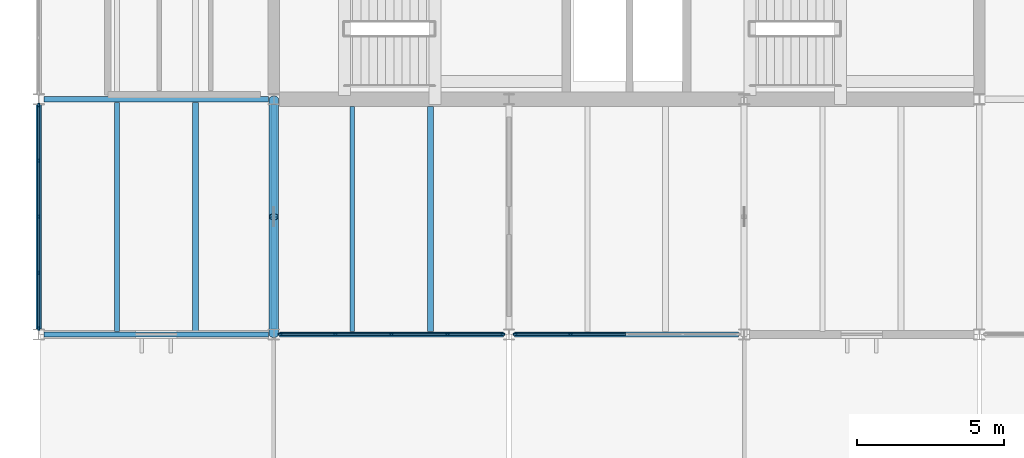
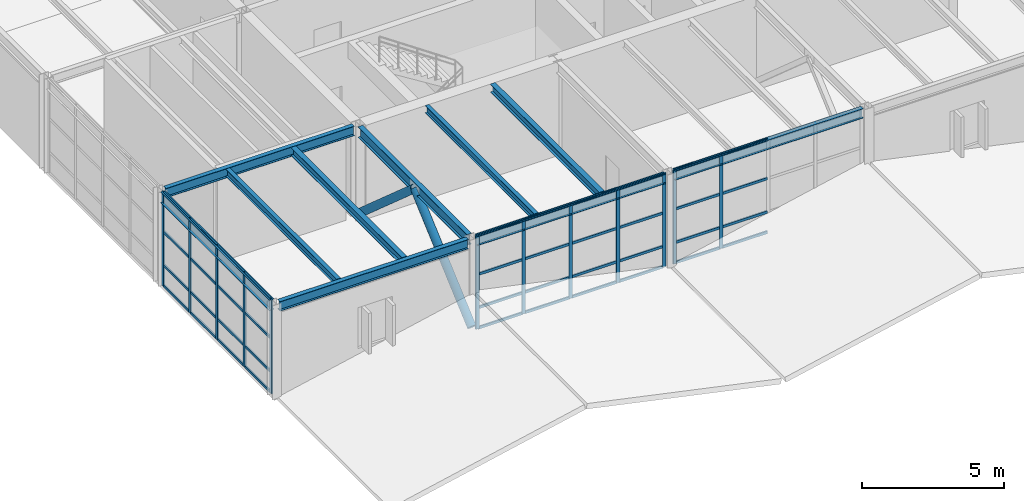
# One storey, part 6 of 34: 54 members, 10 beams, 3 elements without a shape of their own.
"""IFC4 building model written with IfcOpenShell, lengths in metres."""

from ifc_helpers import new_model, si_unit, direction, frame, origin, origin_2d, place, context, subcontext, project, spatial, rectangle, hollow_circle, i_section, extrude, material, layer, layer_set, material_profile, profile_set, type_object, element, aggregate, save


model = new_model("IFC4")

# Units and contexts
model_context = context("Model", 3, precision=1e-05, world=origin(), true_north=direction((0.0, 1.0)))
body_context = subcontext(model_context, "Body", "Model", "MODEL_VIEW")
ifc_project = project(units=[si_unit("LENGTHUNIT", "METRE"), si_unit("AREAUNIT", "SQUARE_METRE"), si_unit("VOLUMEUNIT", "CUBIC_METRE"), si_unit("PLANEANGLEUNIT", "RADIAN"), si_unit("MASSUNIT", "GRAM", prefix="KILO")], contexts=[model_context])

# Site, building, storey
site_placement = place(None, origin())
site = spatial("IfcSite", under=ifc_project, at=site_placement, CompositionType="ELEMENT")
building_placement = place(site_placement, origin())
building = spatial("IfcBuilding", under=site, at=building_placement, Name="Varnela Railside Interchange", CompositionType="ELEMENT")
storey_placement = place(building_placement, frame((0.0, 0.0, 19.60009765625)))
storey = spatial("IfcBuildingStorey", under=building, at=storey_placement, Name="L04", CompositionType="ELEMENT", Elevation=19.60009765625)

# Beams
ifc_material_1 = material(Name="Steel AR 350 (350 MPa)", Category="steel")
ifc_material_profile_1 = material_profile(ifc_material_1, i_section(OverallWidth=0.1650390625, OverallDepth=0.31005859375, WebThickness=0.005859375, FlangeThickness=0.009765625, at=origin_2d()), Name="W310x38.7")
ifc_profile_set_1 = profile_set([ifc_material_profile_1], Name="Steel AR 350 (350 MPa)")
beam_type_1 = type_object("IfcBeamType", Name="Composite Floor Joist J-04", PredefinedType="JOIST", material=ifc_profile_set_1)
beam_1_placement = place(storey_placement, frame((6.669921875, 46.1044921875, 3.864990234375), z_axis=(0.0, 1.0, 0.0), x_axis=(-1.0, 0.0, 0.0)))
element("IfcBeam", 1, at=beam_1_placement, inside=storey, type_object=beam_type_1, Name="Composite Floor Joist J-04 (L04) (BM-2368)", PredefinedType="JOIST", context=body_context, shape_type="SweptSolid", body=[
    extrude(i_section(OverallWidth=0.1650390625, OverallDepth=0.31005859375, WebThickness=0.005859375, FlangeThickness=0.009765625, at=origin_2d()), origin(), (0.0, 0.0, 1.0), 7.791015625),
])
beam_2_placement = place(storey_placement, frame((14.669921875, 46.1044921875, 3.864990234375), z_axis=(0.0, 1.0, 0.0), x_axis=(-1.0, 0.0, 0.0)))
element("IfcBeam", 2, at=beam_2_placement, inside=storey, type_object=beam_type_1, Name="Composite Floor Joist J-04 (L04) (BM-2380)", PredefinedType="JOIST", context=body_context, shape_type="SweptSolid", body=[
    extrude(i_section(OverallWidth=0.1650390625, OverallDepth=0.31005859375, WebThickness=0.005859375, FlangeThickness=0.009765625, at=origin_2d()), origin(), (0.0, 0.0, 1.0), 7.655517578125),
])
ifc_material_profile_2 = material_profile(ifc_material_1, i_section(OverallWidth=0.202880859375, OverallDepth=0.346923828125, WebThickness=0.0078125, FlangeThickness=0.013427734375, at=origin_2d()), Name="W360x64")
ifc_profile_set_2 = profile_set([ifc_material_profile_2], Name="Steel AR 350 (350 MPa)")
beam_type_2 = type_object("IfcBeamType", Name="Composite Heavy Joist J-01", PredefinedType="JOIST", material=ifc_profile_set_2)
beam_3_placement = place(storey_placement, frame((9.330078125, 46.1044921875, 3.846435546875), z_axis=(0.0, 1.0, 0.0), x_axis=(-1.0, 0.0, 0.0)))
element("IfcBeam", 3, at=beam_3_placement, inside=storey, type_object=beam_type_2, Name="Composite Heavy Joist J-01 (L04) (BM-2369)", PredefinedType="JOIST", context=body_context, shape_type="SweptSolid", body=[
    extrude(i_section(OverallWidth=0.202880859375, OverallDepth=0.346923828125, WebThickness=0.0078125, FlangeThickness=0.013427734375, at=origin_2d()), origin(), (0.0, 0.0, 1.0), 7.791015625),
])
beam_4_placement = place(storey_placement, frame((17.330078125, 46.1044921875, 3.846435546875), z_axis=(0.0, 1.0, 0.0), x_axis=(-1.0, 0.0, 0.0)))
element("IfcBeam", 4, at=beam_4_placement, inside=storey, type_object=beam_type_2, Name="Composite Heavy Joist J-01 (L04) (BM-2381)", PredefinedType="JOIST", context=body_context, shape_type="SweptSolid", body=[
    extrude(i_section(OverallWidth=0.202880859375, OverallDepth=0.346923828125, WebThickness=0.0078125, FlangeThickness=0.013427734375, at=origin_2d()), origin(), (0.0, 0.0, 1.0), 7.655517578125),
])

# Curtain wall, members
ifc_material_2 = material(Name="Aluminium 6063-T6", Category="aluminium")
ifc_layer = layer(ifc_material_2, 0.035888671875)
ifc_layer_set = layer_set([ifc_layer], Name="Aluminium 6063-T6")
curtain_wall_type = type_object("IfcCurtainWallType", Name="Operations Wing Facade Curtain Wall CW-03", PredefinedType="USERDEFINED", material=ifc_layer_set)
curtain_wall_1_placement = place(storey_placement, origin())
curtain_wall_1 = element("IfcCurtainWall", 5, at=curtain_wall_1_placement, inside=storey, type_object=curtain_wall_type, Name="Curtain Wall CW-03 (L04) (CW-118)", ObjectType="CURTAIN WALL", PredefinedType="USERDEFINED")
ifc_material_profile_3 = material_profile(ifc_material_2, rectangle(XDim=0.06005859375, YDim=0.139892578125, at=origin_2d()), Name="ALU 60x140")
ifc_profile_set_3 = profile_set([ifc_material_profile_3], Name="Aluminium 6063-T6")
member_type_1 = type_object("IfcMemberType", Name="Curtain Wall Mullion ML-01", PredefinedType="MULLION", material=ifc_profile_set_3)
member_1_placement = place(storey_placement, frame((22.092529296875, 46.0, 0.0), z_axis=(0.0, 0.0, 1.0), x_axis=(0.0, -1.0, 0.0)))
member_1 = element("IfcMember", 6, at=member_1_placement, type_object=member_type_1, Name="CW-03 mullion 4", PredefinedType="MULLION", context=body_context, shape_type="SweptSolid", body=[
    extrude(rectangle(XDim=0.06005859375, YDim=0.139892578125, at=origin_2d()), origin(), (0.0, 0.0, 1.0), 4.02001953125),
])
member_2_placement = place(storey_placement, frame((20.215087890625, 46.0, 0.0), z_axis=(0.0, 0.0, 1.0), x_axis=(0.0, -1.0, 0.0)))
member_2 = element("IfcMember", 7, at=member_2_placement, type_object=member_type_1, Name="CW-03 mullion 5", PredefinedType="MULLION", context=body_context, shape_type="SweptSolid", body=[
    extrude(rectangle(XDim=0.06005859375, YDim=0.139892578125, at=origin_2d()), origin(), (0.0, 0.0, 1.0), 4.02001953125),
])

curtain_wall_2_placement = place(storey_placement, origin())
curtain_wall_2 = element("IfcCurtainWall", 8, at=curtain_wall_2_placement, inside=storey, type_object=curtain_wall_type, Name="Curtain Wall CW-03 (L04) (CW-120)", ObjectType="CURTAIN WALL", PredefinedType="USERDEFINED")
member_3_placement = place(storey_placement, frame((19.784912109375, 46.0, 0.0), z_axis=(0.0, 0.0, 1.0), x_axis=(0.0, -1.0, 0.0)))
member_3 = element("IfcMember", 9, at=member_3_placement, type_object=member_type_1, Name="CW-03 mullion 1", PredefinedType="MULLION", context=body_context, shape_type="SweptSolid", body=[
    extrude(rectangle(XDim=0.06005859375, YDim=0.139892578125, at=origin_2d()), origin(), (0.0, 0.0, 1.0), 4.02001953125),
])
member_4_placement = place(storey_placement, frame((17.907470703125, 46.0, 0.0), z_axis=(0.0, 0.0, 1.0), x_axis=(0.0, -1.0, 0.0)))
member_4 = element("IfcMember", 10, at=member_4_placement, type_object=member_type_1, Name="CW-03 mullion 2", PredefinedType="MULLION", context=body_context, shape_type="SweptSolid", body=[
    extrude(rectangle(XDim=0.06005859375, YDim=0.139892578125, at=origin_2d()), origin(), (0.0, 0.0, 1.0), 4.02001953125),
])
member_5_placement = place(storey_placement, frame((16.0, 46.0, 0.0), z_axis=(0.0, 0.0, 1.0), x_axis=(0.0, -1.0, 0.0)))
member_5 = element("IfcMember", 11, at=member_5_placement, type_object=member_type_1, Name="CW-03 mullion 3", PredefinedType="MULLION", context=body_context, shape_type="SweptSolid", body=[
    extrude(rectangle(XDim=0.06005859375, YDim=0.139892578125, at=origin_2d()), origin(), (0.0, 0.0, 1.0), 4.02001953125),
])
member_6_placement = place(storey_placement, frame((14.092529296875, 46.0, 0.0), z_axis=(0.0, 0.0, 1.0), x_axis=(0.0, -1.0, 0.0)))
member_6 = element("IfcMember", 12, at=member_6_placement, type_object=member_type_1, Name="CW-03 mullion 4", PredefinedType="MULLION", context=body_context, shape_type="SweptSolid", body=[
    extrude(rectangle(XDim=0.06005859375, YDim=0.139892578125, at=origin_2d()), origin(), (0.0, 0.0, 1.0), 4.02001953125),
])
member_7_placement = place(storey_placement, frame((12.215087890625, 46.0, 0.0), z_axis=(0.0, 0.0, 1.0), x_axis=(0.0, -1.0, 0.0)))
member_7 = element("IfcMember", 13, at=member_7_placement, type_object=member_type_1, Name="CW-03 mullion 5", PredefinedType="MULLION", context=body_context, shape_type="SweptSolid", body=[
    extrude(rectangle(XDim=0.06005859375, YDim=0.139892578125, at=origin_2d()), origin(), (0.0, 0.0, 1.0), 4.02001953125),
])

curtain_wall_3_placement = place(storey_placement, origin())
curtain_wall_3 = element("IfcCurtainWall", 14, at=curtain_wall_3_placement, inside=storey, type_object=curtain_wall_type, Name="Curtain Wall CW-03 (L04) (CW-121)", ObjectType="CURTAIN WALL", PredefinedType="USERDEFINED")
member_8_placement = place(storey_placement, frame((4.0, 46.2099609375, 0.0), z_axis=(0.0, 0.0, 1.0), x_axis=(-1.0, 0.0, 0.0)))
member_8 = element("IfcMember", 15, at=member_8_placement, type_object=member_type_1, Name="CW-03 mullion 1", PredefinedType="MULLION", context=body_context, shape_type="SweptSolid", body=[
    extrude(rectangle(XDim=0.06005859375, YDim=0.139892578125, at=origin_2d()), origin(), (0.0, 0.0, 1.0), 4.02001953125),
])
member_9_placement = place(storey_placement, frame((4.0, 48.090087890625, 0.0), z_axis=(0.0, 0.0, 1.0), x_axis=(-1.0, 0.0, 0.0)))
member_9 = element("IfcMember", 16, at=member_9_placement, type_object=member_type_1, Name="CW-03 mullion 2", PredefinedType="MULLION", context=body_context, shape_type="SweptSolid", body=[
    extrude(rectangle(XDim=0.06005859375, YDim=0.139892578125, at=origin_2d()), origin(), (0.0, 0.0, 1.0), 4.02001953125),
])
member_10_placement = place(storey_placement, frame((4.0, 50.0, 0.0), z_axis=(0.0, 0.0, 1.0), x_axis=(-1.0, 0.0, 0.0)))
member_10 = element("IfcMember", 17, at=member_10_placement, type_object=member_type_1, Name="CW-03 mullion 3", PredefinedType="MULLION", context=body_context, shape_type="SweptSolid", body=[
    extrude(rectangle(XDim=0.06005859375, YDim=0.139892578125, at=origin_2d()), origin(), (0.0, 0.0, 1.0), 4.02001953125),
])
member_11_placement = place(storey_placement, frame((4.0, 51.909912109375, 0.0), z_axis=(0.0, 0.0, 1.0), x_axis=(-1.0, 0.0, 0.0)))
member_11 = element("IfcMember", 18, at=member_11_placement, type_object=member_type_1, Name="CW-03 mullion 4", PredefinedType="MULLION", context=body_context, shape_type="SweptSolid", body=[
    extrude(rectangle(XDim=0.06005859375, YDim=0.139892578125, at=origin_2d()), origin(), (0.0, 0.0, 1.0), 4.02001953125),
])
member_12_placement = place(storey_placement, frame((4.0, 53.7900390625, 0.0), z_axis=(0.0, 0.0, 1.0), x_axis=(-1.0, 0.0, 0.0)))
member_12 = element("IfcMember", 19, at=member_12_placement, type_object=member_type_1, Name="CW-03 mullion 5", PredefinedType="MULLION", context=body_context, shape_type="SweptSolid", body=[
    extrude(rectangle(XDim=0.06005859375, YDim=0.139892578125, at=origin_2d()), origin(), (0.0, 0.0, 1.0), 4.02001953125),
])

# Member
ifc_material_profile_4 = material_profile(ifc_material_2, rectangle(XDim=0.06005859375, YDim=0.110107421875, at=origin_2d()), Name="ALU 60x110")
ifc_profile_set_4 = profile_set([ifc_material_profile_4], Name="Aluminium 6063-T6")
member_type_2 = type_object("IfcMemberType", Name="Curtain Wall Transom TR-01", PredefinedType="USERDEFINED", material=ifc_profile_set_4)
member_13_placement = place(storey_placement, frame((23.969970703125, 46.0, 0.02978515625), z_axis=(-1.0, 0.0, 0.0), x_axis=(0.0, -1.0, 0.0)))
member_13 = element("IfcMember", 20, at=member_13_placement, type_object=member_type_2, Name="CW-03 transom 3.1", ObjectType="TRANSOM", PredefinedType="USERDEFINED", context=body_context, shape_type="SweptSolid", body=[
    extrude(rectangle(XDim=0.06005859375, YDim=0.110107421875, at=origin_2d()), origin(), (0.0, 0.0, 1.0), 1.847412109375),
])

member_14_placement = place(storey_placement, frame((23.969970703125, 46.0, 0.89990234375), z_axis=(-1.0, 0.0, 0.0), x_axis=(0.0, -1.0, 0.0)))
member_14 = element("IfcMember", 21, at=member_14_placement, type_object=member_type_2, Name="CW-03 transom 3.2", ObjectType="TRANSOM", PredefinedType="USERDEFINED", context=body_context, shape_type="SweptSolid", body=[
    extrude(rectangle(XDim=0.06005859375, YDim=0.110107421875, at=origin_2d()), origin(), (0.0, 0.0, 1.0), 1.847412109375),
])

member_15_placement = place(storey_placement, frame((23.969970703125, 46.0, 2.33154296875), z_axis=(-1.0, 0.0, 0.0), x_axis=(0.0, -1.0, 0.0)))
member_15 = element("IfcMember", 22, at=member_15_placement, type_object=member_type_2, Name="CW-03 transom 3.3", ObjectType="TRANSOM", PredefinedType="USERDEFINED", context=body_context, shape_type="SweptSolid", body=[
    extrude(rectangle(XDim=0.06005859375, YDim=0.110107421875, at=origin_2d()), origin(), (0.0, 0.0, 1.0), 1.847412109375),
])

member_16_placement = place(storey_placement, frame((23.969970703125, 46.0, 3.989990234375), z_axis=(-1.0, 0.0, 0.0), x_axis=(0.0, -1.0, 0.0)))
member_16 = element("IfcMember", 23, at=member_16_placement, type_object=member_type_2, Name="CW-03 transom 3.4", ObjectType="TRANSOM", PredefinedType="USERDEFINED", context=body_context, shape_type="SweptSolid", body=[
    extrude(rectangle(XDim=0.06005859375, YDim=0.110107421875, at=origin_2d()), origin(), (0.0, 0.0, 1.0), 1.847412109375),
])

member_17_placement = place(storey_placement, frame((22.0625, 46.0, 0.02978515625), z_axis=(-1.0, 0.0, 0.0), x_axis=(0.0, -1.0, 0.0)))
member_17 = element("IfcMember", 24, at=member_17_placement, type_object=member_type_2, Name="CW-03 transom 4.1", ObjectType="TRANSOM", PredefinedType="USERDEFINED", context=body_context, shape_type="SweptSolid", body=[
    extrude(rectangle(XDim=0.06005859375, YDim=0.110107421875, at=origin_2d()), origin(), (0.0, 0.0, 1.0), 1.8173828125),
])

member_18_placement = place(storey_placement, frame((22.0625, 46.0, 0.89990234375), z_axis=(-1.0, 0.0, 0.0), x_axis=(0.0, -1.0, 0.0)))
member_18 = element("IfcMember", 25, at=member_18_placement, type_object=member_type_2, Name="CW-03 transom 4.2", ObjectType="TRANSOM", PredefinedType="USERDEFINED", context=body_context, shape_type="SweptSolid", body=[
    extrude(rectangle(XDim=0.06005859375, YDim=0.110107421875, at=origin_2d()), origin(), (0.0, 0.0, 1.0), 1.8173828125),
])

member_19_placement = place(storey_placement, frame((22.0625, 46.0, 2.33154296875), z_axis=(-1.0, 0.0, 0.0), x_axis=(0.0, -1.0, 0.0)))
member_19 = element("IfcMember", 26, at=member_19_placement, type_object=member_type_2, Name="CW-03 transom 4.3", ObjectType="TRANSOM", PredefinedType="USERDEFINED", context=body_context, shape_type="SweptSolid", body=[
    extrude(rectangle(XDim=0.06005859375, YDim=0.110107421875, at=origin_2d()), origin(), (0.0, 0.0, 1.0), 1.8173828125),
])

member_20_placement = place(storey_placement, frame((22.0625, 46.0, 3.989990234375), z_axis=(-1.0, 0.0, 0.0), x_axis=(0.0, -1.0, 0.0)))
member_20 = element("IfcMember", 27, at=member_20_placement, type_object=member_type_2, Name="CW-03 transom 4.4", ObjectType="TRANSOM", PredefinedType="USERDEFINED", context=body_context, shape_type="SweptSolid", body=[
    extrude(rectangle(XDim=0.06005859375, YDim=0.110107421875, at=origin_2d()), origin(), (0.0, 0.0, 1.0), 1.8173828125),
])

aggregate(curtain_wall_1, [member_1, member_2, member_13, member_14, member_15, member_16, member_17, member_18, member_19, member_20])

member_21_placement = place(storey_placement, frame((19.7548828125, 46.0, 0.02978515625), z_axis=(-1.0, 0.0, 0.0), x_axis=(0.0, -1.0, 0.0)))
member_21 = element("IfcMember", 28, at=member_21_placement, type_object=member_type_2, Name="CW-03 transom 1.1", ObjectType="TRANSOM", PredefinedType="USERDEFINED", context=body_context, shape_type="SweptSolid", body=[
    extrude(rectangle(XDim=0.06005859375, YDim=0.110107421875, at=origin_2d()), origin(), (0.0, 0.0, 1.0), 1.8173828125),
])

member_22_placement = place(storey_placement, frame((19.7548828125, 46.0, 0.89990234375), z_axis=(-1.0, 0.0, 0.0), x_axis=(0.0, -1.0, 0.0)))
member_22 = element("IfcMember", 29, at=member_22_placement, type_object=member_type_2, Name="CW-03 transom 1.2", ObjectType="TRANSOM", PredefinedType="USERDEFINED", context=body_context, shape_type="SweptSolid", body=[
    extrude(rectangle(XDim=0.06005859375, YDim=0.110107421875, at=origin_2d()), origin(), (0.0, 0.0, 1.0), 1.8173828125),
])

member_23_placement = place(storey_placement, frame((19.7548828125, 46.0, 2.33154296875), z_axis=(-1.0, 0.0, 0.0), x_axis=(0.0, -1.0, 0.0)))
member_23 = element("IfcMember", 30, at=member_23_placement, type_object=member_type_2, Name="CW-03 transom 1.3", ObjectType="TRANSOM", PredefinedType="USERDEFINED", context=body_context, shape_type="SweptSolid", body=[
    extrude(rectangle(XDim=0.06005859375, YDim=0.110107421875, at=origin_2d()), origin(), (0.0, 0.0, 1.0), 1.8173828125),
])

member_24_placement = place(storey_placement, frame((19.7548828125, 46.0, 3.989990234375), z_axis=(-1.0, 0.0, 0.0), x_axis=(0.0, -1.0, 0.0)))
member_24 = element("IfcMember", 31, at=member_24_placement, type_object=member_type_2, Name="CW-03 transom 1.4", ObjectType="TRANSOM", PredefinedType="USERDEFINED", context=body_context, shape_type="SweptSolid", body=[
    extrude(rectangle(XDim=0.06005859375, YDim=0.110107421875, at=origin_2d()), origin(), (0.0, 0.0, 1.0), 1.8173828125),
])

member_25_placement = place(storey_placement, frame((17.87744140625, 46.0, 0.02978515625), z_axis=(-1.0, 0.0, 0.0), x_axis=(0.0, -1.0, 0.0)))
member_25 = element("IfcMember", 32, at=member_25_placement, type_object=member_type_2, Name="CW-03 transom 2.1", ObjectType="TRANSOM", PredefinedType="USERDEFINED", context=body_context, shape_type="SweptSolid", body=[
    extrude(rectangle(XDim=0.06005859375, YDim=0.110107421875, at=origin_2d()), origin(), (0.0, 0.0, 1.0), 1.847412109375),
])

member_26_placement = place(storey_placement, frame((17.87744140625, 46.0, 0.89990234375), z_axis=(-1.0, 0.0, 0.0), x_axis=(0.0, -1.0, 0.0)))
member_26 = element("IfcMember", 33, at=member_26_placement, type_object=member_type_2, Name="CW-03 transom 2.2", ObjectType="TRANSOM", PredefinedType="USERDEFINED", context=body_context, shape_type="SweptSolid", body=[
    extrude(rectangle(XDim=0.06005859375, YDim=0.110107421875, at=origin_2d()), origin(), (0.0, 0.0, 1.0), 1.847412109375),
])

member_27_placement = place(storey_placement, frame((17.87744140625, 46.0, 2.33154296875), z_axis=(-1.0, 0.0, 0.0), x_axis=(0.0, -1.0, 0.0)))
member_27 = element("IfcMember", 34, at=member_27_placement, type_object=member_type_2, Name="CW-03 transom 2.3", ObjectType="TRANSOM", PredefinedType="USERDEFINED", context=body_context, shape_type="SweptSolid", body=[
    extrude(rectangle(XDim=0.06005859375, YDim=0.110107421875, at=origin_2d()), origin(), (0.0, 0.0, 1.0), 1.847412109375),
])

member_28_placement = place(storey_placement, frame((17.87744140625, 46.0, 3.989990234375), z_axis=(-1.0, 0.0, 0.0), x_axis=(0.0, -1.0, 0.0)))
member_28 = element("IfcMember", 35, at=member_28_placement, type_object=member_type_2, Name="CW-03 transom 2.4", ObjectType="TRANSOM", PredefinedType="USERDEFINED", context=body_context, shape_type="SweptSolid", body=[
    extrude(rectangle(XDim=0.06005859375, YDim=0.110107421875, at=origin_2d()), origin(), (0.0, 0.0, 1.0), 1.847412109375),
])

member_29_placement = place(storey_placement, frame((15.969970703125, 46.0, 0.02978515625), z_axis=(-1.0, 0.0, 0.0), x_axis=(0.0, -1.0, 0.0)))
member_29 = element("IfcMember", 36, at=member_29_placement, type_object=member_type_2, Name="CW-03 transom 3.1", ObjectType="TRANSOM", PredefinedType="USERDEFINED", context=body_context, shape_type="SweptSolid", body=[
    extrude(rectangle(XDim=0.06005859375, YDim=0.110107421875, at=origin_2d()), origin(), (0.0, 0.0, 1.0), 1.847412109375),
])

member_30_placement = place(storey_placement, frame((15.969970703125, 46.0, 0.89990234375), z_axis=(-1.0, 0.0, 0.0), x_axis=(0.0, -1.0, 0.0)))
member_30 = element("IfcMember", 37, at=member_30_placement, type_object=member_type_2, Name="CW-03 transom 3.2", ObjectType="TRANSOM", PredefinedType="USERDEFINED", context=body_context, shape_type="SweptSolid", body=[
    extrude(rectangle(XDim=0.06005859375, YDim=0.110107421875, at=origin_2d()), origin(), (0.0, 0.0, 1.0), 1.847412109375),
])

member_31_placement = place(storey_placement, frame((15.969970703125, 46.0, 2.33154296875), z_axis=(-1.0, 0.0, 0.0), x_axis=(0.0, -1.0, 0.0)))
member_31 = element("IfcMember", 38, at=member_31_placement, type_object=member_type_2, Name="CW-03 transom 3.3", ObjectType="TRANSOM", PredefinedType="USERDEFINED", context=body_context, shape_type="SweptSolid", body=[
    extrude(rectangle(XDim=0.06005859375, YDim=0.110107421875, at=origin_2d()), origin(), (0.0, 0.0, 1.0), 1.847412109375),
])

member_32_placement = place(storey_placement, frame((15.969970703125, 46.0, 3.989990234375), z_axis=(-1.0, 0.0, 0.0), x_axis=(0.0, -1.0, 0.0)))
member_32 = element("IfcMember", 39, at=member_32_placement, type_object=member_type_2, Name="CW-03 transom 3.4", ObjectType="TRANSOM", PredefinedType="USERDEFINED", context=body_context, shape_type="SweptSolid", body=[
    extrude(rectangle(XDim=0.06005859375, YDim=0.110107421875, at=origin_2d()), origin(), (0.0, 0.0, 1.0), 1.847412109375),
])

member_33_placement = place(storey_placement, frame((14.0625, 46.0, 0.02978515625), z_axis=(-1.0, 0.0, 0.0), x_axis=(0.0, -1.0, 0.0)))
member_33 = element("IfcMember", 40, at=member_33_placement, type_object=member_type_2, Name="CW-03 transom 4.1", ObjectType="TRANSOM", PredefinedType="USERDEFINED", context=body_context, shape_type="SweptSolid", body=[
    extrude(rectangle(XDim=0.06005859375, YDim=0.110107421875, at=origin_2d()), origin(), (0.0, 0.0, 1.0), 1.8173828125),
])

member_34_placement = place(storey_placement, frame((14.0625, 46.0, 0.89990234375), z_axis=(-1.0, 0.0, 0.0), x_axis=(0.0, -1.0, 0.0)))
member_34 = element("IfcMember", 41, at=member_34_placement, type_object=member_type_2, Name="CW-03 transom 4.2", ObjectType="TRANSOM", PredefinedType="USERDEFINED", context=body_context, shape_type="SweptSolid", body=[
    extrude(rectangle(XDim=0.06005859375, YDim=0.110107421875, at=origin_2d()), origin(), (0.0, 0.0, 1.0), 1.8173828125),
])

member_35_placement = place(storey_placement, frame((14.0625, 46.0, 2.33154296875), z_axis=(-1.0, 0.0, 0.0), x_axis=(0.0, -1.0, 0.0)))
member_35 = element("IfcMember", 42, at=member_35_placement, type_object=member_type_2, Name="CW-03 transom 4.3", ObjectType="TRANSOM", PredefinedType="USERDEFINED", context=body_context, shape_type="SweptSolid", body=[
    extrude(rectangle(XDim=0.06005859375, YDim=0.110107421875, at=origin_2d()), origin(), (0.0, 0.0, 1.0), 1.8173828125),
])

member_36_placement = place(storey_placement, frame((14.0625, 46.0, 3.989990234375), z_axis=(-1.0, 0.0, 0.0), x_axis=(0.0, -1.0, 0.0)))
member_36 = element("IfcMember", 43, at=member_36_placement, type_object=member_type_2, Name="CW-03 transom 4.4", ObjectType="TRANSOM", PredefinedType="USERDEFINED", context=body_context, shape_type="SweptSolid", body=[
    extrude(rectangle(XDim=0.06005859375, YDim=0.110107421875, at=origin_2d()), origin(), (0.0, 0.0, 1.0), 1.8173828125),
])

aggregate(curtain_wall_2, [member_3, member_4, member_5, member_6, member_7, member_21, member_22, member_23, member_24, member_25, member_26, member_27, member_28, member_29, member_30, member_31, member_32, member_33, member_34, member_35, member_36])

member_37_placement = place(storey_placement, frame((4.0, 46.239990234375, 0.02978515625), z_axis=(0.0, 1.0, 0.0), x_axis=(-1.0, 0.0, 0.0)))
member_37 = element("IfcMember", 44, at=member_37_placement, type_object=member_type_2, Name="CW-03 transom 1.1", ObjectType="TRANSOM", PredefinedType="USERDEFINED", context=body_context, shape_type="SweptSolid", body=[
    extrude(rectangle(XDim=0.06005859375, YDim=0.110107421875, at=origin_2d()), origin(), (0.0, 0.0, 1.0), 1.820068359375),
])

member_38_placement = place(storey_placement, frame((4.0, 46.239990234375, 0.89990234375), z_axis=(0.0, 1.0, 0.0), x_axis=(-1.0, 0.0, 0.0)))
member_38 = element("IfcMember", 45, at=member_38_placement, type_object=member_type_2, Name="CW-03 transom 1.2", ObjectType="TRANSOM", PredefinedType="USERDEFINED", context=body_context, shape_type="SweptSolid", body=[
    extrude(rectangle(XDim=0.06005859375, YDim=0.110107421875, at=origin_2d()), origin(), (0.0, 0.0, 1.0), 1.820068359375),
])

member_39_placement = place(storey_placement, frame((4.0, 46.239990234375, 2.33154296875), z_axis=(0.0, 1.0, 0.0), x_axis=(-1.0, 0.0, 0.0)))
member_39 = element("IfcMember", 46, at=member_39_placement, type_object=member_type_2, Name="CW-03 transom 1.3", ObjectType="TRANSOM", PredefinedType="USERDEFINED", context=body_context, shape_type="SweptSolid", body=[
    extrude(rectangle(XDim=0.06005859375, YDim=0.110107421875, at=origin_2d()), origin(), (0.0, 0.0, 1.0), 1.820068359375),
])

member_40_placement = place(storey_placement, frame((4.0, 46.239990234375, 3.989990234375), z_axis=(0.0, 1.0, 0.0), x_axis=(-1.0, 0.0, 0.0)))
member_40 = element("IfcMember", 47, at=member_40_placement, type_object=member_type_2, Name="CW-03 transom 1.4", ObjectType="TRANSOM", PredefinedType="USERDEFINED", context=body_context, shape_type="SweptSolid", body=[
    extrude(rectangle(XDim=0.06005859375, YDim=0.110107421875, at=origin_2d()), origin(), (0.0, 0.0, 1.0), 1.820068359375),
])

member_41_placement = place(storey_placement, frame((4.0, 48.1201171875, 0.02978515625), z_axis=(0.0, 1.0, 0.0), x_axis=(-1.0, 0.0, 0.0)))
member_41 = element("IfcMember", 48, at=member_41_placement, type_object=member_type_2, Name="CW-03 transom 2.1", ObjectType="TRANSOM", PredefinedType="USERDEFINED", context=body_context, shape_type="SweptSolid", body=[
    extrude(rectangle(XDim=0.06005859375, YDim=0.110107421875, at=origin_2d()), origin(), (0.0, 0.0, 1.0), 1.849853515625),
])

member_42_placement = place(storey_placement, frame((4.0, 48.1201171875, 0.89990234375), z_axis=(0.0, 1.0, 0.0), x_axis=(-1.0, 0.0, 0.0)))
member_42 = element("IfcMember", 49, at=member_42_placement, type_object=member_type_2, Name="CW-03 transom 2.2", ObjectType="TRANSOM", PredefinedType="USERDEFINED", context=body_context, shape_type="SweptSolid", body=[
    extrude(rectangle(XDim=0.06005859375, YDim=0.110107421875, at=origin_2d()), origin(), (0.0, 0.0, 1.0), 1.849853515625),
])

member_43_placement = place(storey_placement, frame((4.0, 48.1201171875, 2.33154296875), z_axis=(0.0, 1.0, 0.0), x_axis=(-1.0, 0.0, 0.0)))
member_43 = element("IfcMember", 50, at=member_43_placement, type_object=member_type_2, Name="CW-03 transom 2.3", ObjectType="TRANSOM", PredefinedType="USERDEFINED", context=body_context, shape_type="SweptSolid", body=[
    extrude(rectangle(XDim=0.06005859375, YDim=0.110107421875, at=origin_2d()), origin(), (0.0, 0.0, 1.0), 1.849853515625),
])

member_44_placement = place(storey_placement, frame((4.0, 48.1201171875, 3.989990234375), z_axis=(0.0, 1.0, 0.0), x_axis=(-1.0, 0.0, 0.0)))
member_44 = element("IfcMember", 51, at=member_44_placement, type_object=member_type_2, Name="CW-03 transom 2.4", ObjectType="TRANSOM", PredefinedType="USERDEFINED", context=body_context, shape_type="SweptSolid", body=[
    extrude(rectangle(XDim=0.06005859375, YDim=0.110107421875, at=origin_2d()), origin(), (0.0, 0.0, 1.0), 1.849853515625),
])

member_45_placement = place(storey_placement, frame((4.0, 50.030029296875, 0.02978515625), z_axis=(0.0, 1.0, 0.0), x_axis=(-1.0, 0.0, 0.0)))
member_45 = element("IfcMember", 52, at=member_45_placement, type_object=member_type_2, Name="CW-03 transom 3.1", ObjectType="TRANSOM", PredefinedType="USERDEFINED", context=body_context, shape_type="SweptSolid", body=[
    extrude(rectangle(XDim=0.06005859375, YDim=0.110107421875, at=origin_2d()), origin(), (0.0, 0.0, 1.0), 1.849853515625),
])

member_46_placement = place(storey_placement, frame((4.0, 50.030029296875, 0.89990234375), z_axis=(0.0, 1.0, 0.0), x_axis=(-1.0, 0.0, 0.0)))
member_46 = element("IfcMember", 53, at=member_46_placement, type_object=member_type_2, Name="CW-03 transom 3.2", ObjectType="TRANSOM", PredefinedType="USERDEFINED", context=body_context, shape_type="SweptSolid", body=[
    extrude(rectangle(XDim=0.06005859375, YDim=0.110107421875, at=origin_2d()), origin(), (0.0, 0.0, 1.0), 1.849853515625),
])

member_47_placement = place(storey_placement, frame((4.0, 50.030029296875, 2.33154296875), z_axis=(0.0, 1.0, 0.0), x_axis=(-1.0, 0.0, 0.0)))
member_47 = element("IfcMember", 54, at=member_47_placement, type_object=member_type_2, Name="CW-03 transom 3.3", ObjectType="TRANSOM", PredefinedType="USERDEFINED", context=body_context, shape_type="SweptSolid", body=[
    extrude(rectangle(XDim=0.06005859375, YDim=0.110107421875, at=origin_2d()), origin(), (0.0, 0.0, 1.0), 1.849853515625),
])

member_48_placement = place(storey_placement, frame((4.0, 50.030029296875, 3.989990234375), z_axis=(0.0, 1.0, 0.0), x_axis=(-1.0, 0.0, 0.0)))
member_48 = element("IfcMember", 55, at=member_48_placement, type_object=member_type_2, Name="CW-03 transom 3.4", ObjectType="TRANSOM", PredefinedType="USERDEFINED", context=body_context, shape_type="SweptSolid", body=[
    extrude(rectangle(XDim=0.06005859375, YDim=0.110107421875, at=origin_2d()), origin(), (0.0, 0.0, 1.0), 1.849853515625),
])

member_49_placement = place(storey_placement, frame((4.0, 51.93994140625, 0.02978515625), z_axis=(0.0, 1.0, 0.0), x_axis=(-1.0, 0.0, 0.0)))
member_49 = element("IfcMember", 56, at=member_49_placement, type_object=member_type_2, Name="CW-03 transom 4.1", ObjectType="TRANSOM", PredefinedType="USERDEFINED", context=body_context, shape_type="SweptSolid", body=[
    extrude(rectangle(XDim=0.06005859375, YDim=0.110107421875, at=origin_2d()), origin(), (0.0, 0.0, 1.0), 1.820068359375),
])

member_50_placement = place(storey_placement, frame((4.0, 51.93994140625, 0.89990234375), z_axis=(0.0, 1.0, 0.0), x_axis=(-1.0, 0.0, 0.0)))
member_50 = element("IfcMember", 57, at=member_50_placement, type_object=member_type_2, Name="CW-03 transom 4.2", ObjectType="TRANSOM", PredefinedType="USERDEFINED", context=body_context, shape_type="SweptSolid", body=[
    extrude(rectangle(XDim=0.06005859375, YDim=0.110107421875, at=origin_2d()), origin(), (0.0, 0.0, 1.0), 1.820068359375),
])

member_51_placement = place(storey_placement, frame((4.0, 51.93994140625, 2.33154296875), z_axis=(0.0, 1.0, 0.0), x_axis=(-1.0, 0.0, 0.0)))
member_51 = element("IfcMember", 58, at=member_51_placement, type_object=member_type_2, Name="CW-03 transom 4.3", ObjectType="TRANSOM", PredefinedType="USERDEFINED", context=body_context, shape_type="SweptSolid", body=[
    extrude(rectangle(XDim=0.06005859375, YDim=0.110107421875, at=origin_2d()), origin(), (0.0, 0.0, 1.0), 1.820068359375),
])

member_52_placement = place(storey_placement, frame((4.0, 51.93994140625, 3.989990234375), z_axis=(0.0, 1.0, 0.0), x_axis=(-1.0, 0.0, 0.0)))
member_52 = element("IfcMember", 59, at=member_52_placement, type_object=member_type_2, Name="CW-03 transom 4.4", ObjectType="TRANSOM", PredefinedType="USERDEFINED", context=body_context, shape_type="SweptSolid", body=[
    extrude(rectangle(XDim=0.06005859375, YDim=0.110107421875, at=origin_2d()), origin(), (0.0, 0.0, 1.0), 1.820068359375),
])

aggregate(curtain_wall_3, [member_8, member_9, member_10, member_11, member_12, member_37, member_38, member_39, member_40, member_41, member_42, member_43, member_44, member_45, member_46, member_47, member_48, member_49, member_50, member_51, member_52])

# Beams
ifc_material_profile_5 = material_profile(ifc_material_1, i_section(OverallWidth=0.19091796875, OverallDepth=0.4599609375, WebThickness=0.010009765625, FlangeThickness=0.01611328125, at=origin_2d()), Name="W460x82")
ifc_profile_set_5 = profile_set([ifc_material_profile_5], Name="Steel AR 350 (350 MPa)")
beam_type_3 = type_object("IfcBeamType", Name="Steel Perimeter Spandrel SP-01", PredefinedType="SPANDREL", material=ifc_profile_set_5)
beam_5_placement = place(storey_placement, frame((4.0, 46.179931640625, 3.789794921875), z_axis=(0.0, 1.0, 0.0), x_axis=(-1.0, 0.0, 0.0)))
element("IfcBeam", 60, at=beam_5_placement, inside=storey, type_object=beam_type_3, Name="Steel Perimeter Spandrel SP-01 (L04) (BM-2497)", PredefinedType="SPANDREL", context=body_context, shape_type="SweptSolid", body=[
    extrude(i_section(OverallWidth=0.19091796875, OverallDepth=0.4599609375, WebThickness=0.010009765625, FlangeThickness=0.01611328125, at=origin_2d()), origin(), (0.0, 0.0, 1.0), 7.64013671875),
])
beam_6_placement = place(storey_placement, frame((12.0, 46.179931640625, 3.789794921875), z_axis=(0.0, 1.0, 0.0), x_axis=(-1.0, 0.0, 0.0)))
element("IfcBeam", 61, at=beam_6_placement, inside=storey, type_object=beam_type_3, Name="Steel Perimeter Spandrel SP-01 (L04) (BM-2503)", PredefinedType="SPANDREL", context=body_context, shape_type="SweptSolid", body=[
    extrude(i_section(OverallWidth=0.19091796875, OverallDepth=0.4599609375, WebThickness=0.010009765625, FlangeThickness=0.01611328125, at=origin_2d()), origin(), (0.0, 0.0, 1.0), 7.635986328125),
])
ifc_material_profile_6 = material_profile(ifc_material_1, i_section(OverallWidth=0.178955078125, OverallDepth=0.409912109375, WebThickness=0.0087890625, FlangeThickness=0.014404296875, at=origin_2d()), Name="W410x67")
ifc_profile_set_6 = profile_set([ifc_material_profile_6], Name="Steel AR 350 (350 MPa)")
beam_type_4 = type_object("IfcBeamType", Name="Steel Terrace Spandrel SP-02", PredefinedType="SPANDREL", material=ifc_profile_set_6)
for number, where, z_axis, x_axis, name in (
    (62, (4.18505859375, 46.0, 3.81494140625), (1.0, 0.0, 0.0), (0.0, 1.0, 0.0), "Steel Terrace Spandrel SP-02 (L04) (BM-2431)"),
    (63, (12.18505859375, 46.0, 3.81494140625), (1.0, 0.0, 0.0), (0.0, 1.0, 0.0), "Steel Terrace Spandrel SP-02 (L04) (BM-2426)"),
    (64, (20.18505859375, 46.0, 3.81494140625), (1.0, 0.0, 0.0), (0.0, 1.0, 0.0), "Steel Terrace Spandrel SP-02 (L04) (BM-2427)"),
):
    element("IfcBeam", number, at=place(storey_placement, frame(where, z_axis=z_axis, x_axis=x_axis)), inside=storey, type_object=beam_type_4, Name=name, PredefinedType="SPANDREL", context=body_context, shape_type="SweptSolid", body=[
        extrude(i_section(OverallWidth=0.178955078125, OverallDepth=0.409912109375, WebThickness=0.0087890625, FlangeThickness=0.014404296875, at=origin_2d()), origin(), (0.0, 0.0, 1.0), 7.6298828125),
    ])
beam_7_placement = place(storey_placement, frame((4.18505859375, 54.0, 3.81494140625), z_axis=(1.0, 0.0, 0.0), x_axis=(0.0, 1.0, 0.0)))
element("IfcBeam", 65, at=beam_7_placement, inside=storey, type_object=beam_type_4, Name="Steel Terrace Spandrel SP-02 (L04) (BM-2437)", PredefinedType="SPANDREL", context=body_context, shape_type="SweptSolid", body=[
    extrude(i_section(OverallWidth=0.178955078125, OverallDepth=0.409912109375, WebThickness=0.0087890625, FlangeThickness=0.014404296875, at=origin_2d()), origin(), (0.0, 0.0, 1.0), 7.62841796875),
])

# Members
ifc_material_profile_7 = material_profile(ifc_material_1, hollow_circle(Radius=0.161865234375, WallThickness=0.01611328125, at=origin_2d()), Name="CHS 323.9x16")
ifc_profile_set_7 = profile_set([ifc_material_profile_7], Name="Steel AR 350 (350 MPa)")
member_type_3 = type_object("IfcMemberType", Name="Tubular Operations Brace BR-11", PredefinedType="BRACE", material=ifc_profile_set_7)
for number, where, z_axis, x_axis, name in (
    (66, (12.0, 46.0, 0.14990234375), (0.0, 0.750711699002, 0.660629960706), (-1.0, 0.0, 0.0), "Tubular Operations Brace BR-11 (L04) (MB-0166)"),
    (67, (12.0, 54.0, 0.14990234375), (0.0, -0.750711699002, 0.660629960706), (1.0, 0.0, 0.0), "Tubular Operations Brace BR-11 (L04) (MB-0167)"),
):
    element("IfcMember", number, at=place(storey_placement, frame(where, z_axis=z_axis, x_axis=x_axis)), inside=storey, type_object=member_type_3, Name=name, PredefinedType="BRACE", context=body_context, shape_type="SweptSolid", body=[
        extrude(hollow_circle(Radius=0.161865234375, WallThickness=0.01611328125, at=origin_2d()), origin(), (0.0, 0.0, 1.0), 5.328369140625),
    ])

save(model, "model.ifc")
